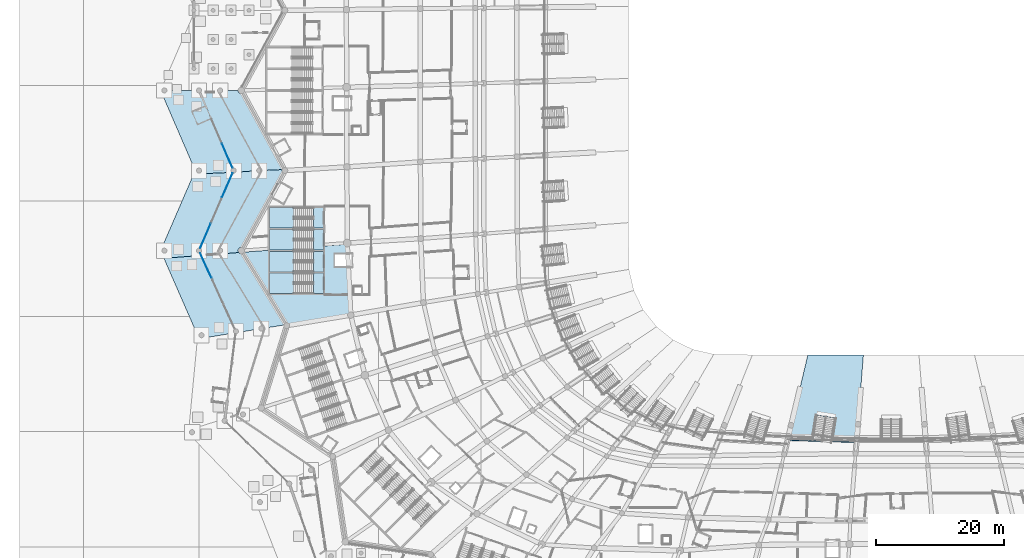
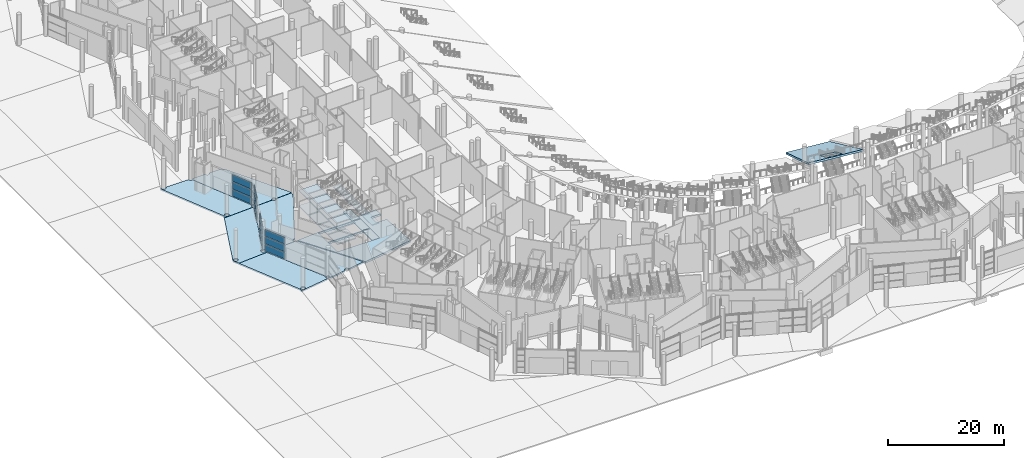
# One storey, part 74 of 255: 23 slabs, 12 plates, 8 elements without a shape of their own.
"""IFC4 building model written with IfcOpenShell, lengths in metres."""

from ifc_helpers import new_model, si_unit, direction, frame, origin, origin_2d, place, context, subcontext, project, spatial, polyline, rectangle, outline, extrude, material, layer, layer_set, type_object, element, aggregate, save


model = new_model("IFC4")

# Units and contexts
model_context = context("Model", 3, precision=1e-05, world=origin(), true_north=direction((0.0, 1.0)))
body_context = subcontext(model_context, "Body", "Model", "MODEL_VIEW")
ifc_project = project(units=[si_unit("LENGTHUNIT", "METRE"), si_unit("AREAUNIT", "SQUARE_METRE"), si_unit("VOLUMEUNIT", "CUBIC_METRE"), si_unit("PLANEANGLEUNIT", "RADIAN"), si_unit("MASSUNIT", "GRAM", prefix="KILO")], contexts=[model_context])

# Site, building, storey
site_placement = place(None, origin())
site = spatial("IfcSite", under=ifc_project, at=site_placement, CompositionType="ELEMENT")
building_placement = place(site_placement, origin())
building = spatial("IfcBuilding", under=site, at=building_placement, Name="Meseta Stadium", CompositionType="ELEMENT")
storey_placement = place(building_placement, origin())
storey = spatial("IfcBuildingStorey", under=building, at=storey_placement, Name="L00", CompositionType="ELEMENT", Elevation=0.0)

# Slabs
ifc_material_1 = material(Name="Concrete C40/50", Category="concrete")
ifc_layer_1 = layer(ifc_material_1, 0.39990234375)
ifc_layer_set_1 = layer_set([ifc_layer_1], Name="Floor slab 400")
slab_type_1 = type_object("IfcSlabType", Name="Floor slab 400", PredefinedType="FLOOR", material=ifc_layer_set_1)
slab_1_placement = place(storey_placement, frame((0.0, 0.0, -0.39990234375)))
element("IfcSlab", 1, at=slab_1_placement, inside=storey, type_object=slab_type_1, Name="Floor slab L00 sector 35 panel 02", PredefinedType="FLOOR", context=body_context, shape_type="SweptSolid", body=[
    extrude(outline(polyline([(-88.60009765625, -43.028564453125), (-88.60009765625, -43.64990234375), (-96.697021484375, -43.64990234375), (-101.24853515625, -43.999267578125), (-94.29443359375, -55.44140625), (-84.3251953125, -53.801513671875), (-84.703125, -46.199951171875), (-86.800048828125, -46.199951171875), (-86.800048828125, -44.300048828125), (-84.797607421875, -44.300048828125), (-84.875, -42.74267578125), (-88.60009765625, -43.028564453125)]), holes=[polyline([(-97.0, -47.25), (-88.60009765625, -47.25), (-88.60009765625, -50.449951171875), (-97.0, -50.449951171875), (-97.0, -47.25)]), polyline([(-97.0, -47.050048828125), (-97.0, -43.85009765625), (-88.60009765625, -43.85009765625), (-88.60009765625, -47.050048828125), (-97.0, -47.050048828125)])]), origin(), (0.0, 0.0, 1.0), 0.39990234375),
])
ifc_material_2 = material(Name="Concrete C40/50", Category="concrete")
ifc_layer_2 = layer(ifc_material_2, 0.300048828125)
ifc_layer_set_2 = layer_set([ifc_layer_2], Name="Passage paving slab 300")
slab_type_2 = type_object("IfcSlabType", Name="Passage paving slab 300", PredefinedType="FLOOR", material=ifc_layer_set_2)
slab_2_placement = place(storey_placement, frame((0.0, 0.0, -0.300048828125)))
element("IfcSlab", 2, at=slab_2_placement, inside=storey, type_object=slab_type_2, Name="Covered passage paving 5 part 1", PredefinedType="FLOOR", context=body_context, shape_type="SweptSolid", body=[
    extrude(outline(polyline([(-108.60009765625, -31.25), (-108.852783203125, -31.8349609375), (-102.905517578125, -31.5087890625), (-102.949462890625, -31.45166015625), (-102.98974609375, -31.3544921875), (-103.00341796875, -31.25), (-102.98974609375, -31.1455078125), (-102.949462890625, -31.04833984375), (-102.88525390625, -30.964599609375), (-102.8017578125, -30.900634765625), (-102.758544921875, -30.8828125), (-107.84130859375, -19.1171875), (-107.8955078125, -19.1396484375), (-108.0, -19.153564453125), (-108.1044921875, -19.1396484375), (-108.20166015625, -19.099365234375), (-108.285400390625, -19.035400390625), (-108.349365234375, -18.95166015625), (-108.3896484375, -18.8544921875), (-108.403564453125, -18.75), (-112.99658203125, -18.75), (-113.01025390625, -18.8544921875), (-113.050537109375, -18.95166015625), (-113.11474609375, -19.035400390625), (-113.1982421875, -19.099365234375), (-113.295654296875, -19.1396484375), (-113.39990234375, -19.153564453125), (-113.50439453125, -19.1396484375), (-113.601806640625, -19.099365234375), (-113.685302734375, -19.035400390625), (-113.74951171875, -18.95166015625), (-113.789794921875, -18.8544921875), (-113.803466796875, -18.75), (-114.0, -18.75), (-108.60009765625, -31.25)]), holes=[polyline([(-108.1044921875, -31.6396484375), (-108.20166015625, -31.599365234375), (-108.285400390625, -31.535400390625), (-108.349365234375, -31.45166015625), (-108.3896484375, -31.3544921875), (-108.403564453125, -31.25), (-108.3896484375, -31.1455078125), (-108.349365234375, -31.04833984375), (-108.285400390625, -30.964599609375), (-108.20166015625, -30.900634765625), (-108.1044921875, -30.8603515625), (-108.0, -30.846435546875), (-107.8955078125, -30.8603515625), (-107.79833984375, -30.900634765625), (-107.714599609375, -30.964599609375), (-107.650634765625, -31.04833984375), (-107.6103515625, -31.1455078125), (-107.596435546875, -31.25), (-107.6103515625, -31.3544921875), (-107.650634765625, -31.45166015625), (-107.714599609375, -31.535400390625), (-107.79833984375, -31.599365234375), (-107.8955078125, -31.6396484375), (-108.0, -31.653564453125), (-108.1044921875, -31.6396484375)])]), origin(), (0.0, 0.0, 1.0), 0.300048828125),
])
slab_3_placement = place(storey_placement, frame((0.0, 0.0, -0.300048828125)))
element("IfcSlab", 3, at=slab_3_placement, inside=storey, type_object=slab_type_2, Name="Covered passage paving 5 part 2 panel 01", PredefinedType="FLOOR", context=body_context, shape_type="SweptSolid", body=[
    extrude(outline(polyline([(-108.861572265625, -31.85546875), (-114.0, -43.75), (-113.480712890625, -44.938232421875), (-107.660888671875, -44.491455078125), (-107.83349609375, -44.114013671875), (-107.8955078125, -44.1396484375), (-108.0, -44.153564453125), (-108.1044921875, -44.1396484375), (-108.20166015625, -44.099365234375), (-108.285400390625, -44.035400390625), (-108.349365234375, -43.95166015625), (-108.3896484375, -43.8544921875), (-108.403564453125, -43.75), (-108.3896484375, -43.6455078125), (-108.349365234375, -43.54833984375), (-108.285400390625, -43.464599609375), (-108.20166015625, -43.400634765625), (-108.1044921875, -43.3603515625), (-108.0, -43.346435546875), (-107.8955078125, -43.3603515625), (-107.84130859375, -43.3828125), (-102.758544921875, -31.6171875), (-102.8017578125, -31.599365234375), (-102.88525390625, -31.535400390625), (-102.890869140625, -31.5283203125), (-108.861572265625, -31.85546875)]), holes=[polyline([(-113.39990234375, -44.153564453125), (-113.50439453125, -44.1396484375), (-113.601806640625, -44.099365234375), (-113.685302734375, -44.035400390625), (-113.74951171875, -43.95166015625), (-113.789794921875, -43.8544921875), (-113.803466796875, -43.75), (-113.789794921875, -43.6455078125), (-113.74951171875, -43.54833984375), (-113.685302734375, -43.464599609375), (-113.601806640625, -43.400634765625), (-113.50439453125, -43.3603515625), (-113.39990234375, -43.346435546875), (-113.295654296875, -43.3603515625), (-113.1982421875, -43.400634765625), (-113.11474609375, -43.464599609375), (-113.050537109375, -43.54833984375), (-113.01025390625, -43.6455078125), (-112.99658203125, -43.75), (-113.01025390625, -43.8544921875), (-113.050537109375, -43.95166015625), (-113.11474609375, -44.035400390625), (-113.1982421875, -44.099365234375), (-113.295654296875, -44.1396484375), (-113.39990234375, -44.153564453125)])]), origin(), (0.0, 0.0, 1.0), 0.300048828125),
])
slab_4_placement = place(storey_placement, frame((0.0, 0.0, -0.300048828125)))
element("IfcSlab", 4, at=slab_4_placement, inside=storey, type_object=slab_type_2, Name="Covered passage paving 5 part 2 panel 02", PredefinedType="FLOOR", context=body_context, shape_type="SweptSolid", body=[
    extrude(outline(polyline([(-113.480712890625, -44.938232421875), (-108.206298828125, -57.009033203125), (-108.255615234375, -57.526611328125), (-102.541748046875, -56.606201171875), (-102.593505859375, -56.538818359375), (-102.6337890625, -56.441650390625), (-102.647705078125, -56.337158203125), (-102.6337890625, -56.23291015625), (-102.593505859375, -56.135498046875), (-102.529296875, -56.052001953125), (-102.44580078125, -55.98779296875), (-102.41064453125, -55.97314453125), (-107.660888671875, -44.491455078125), (-113.480712890625, -44.938232421875)]), holes=[polyline([(-107.505615234375, -57.33154296875), (-107.610107421875, -57.34521484375), (-107.714599609375, -57.33154296875), (-107.81201171875, -57.291259765625), (-107.8955078125, -57.22705078125), (-107.959716796875, -57.1435546875), (-108.0, -57.046142578125), (-108.013671875, -56.94189453125), (-108.0, -56.83740234375), (-107.959716796875, -56.739990234375), (-107.8955078125, -56.656494140625), (-107.81201171875, -56.59228515625), (-107.714599609375, -56.552001953125), (-107.610107421875, -56.538330078125), (-107.505615234375, -56.552001953125), (-107.408447265625, -56.59228515625), (-107.324951171875, -56.656494140625), (-107.2607421875, -56.739990234375), (-107.220458984375, -56.83740234375), (-107.206787109375, -56.94189453125), (-107.220458984375, -57.046142578125), (-107.2607421875, -57.1435546875), (-107.324951171875, -57.22705078125), (-107.408447265625, -57.291259765625), (-107.505615234375, -57.33154296875)])]), origin(), (0.0, 0.0, 1.0), 0.300048828125),
])

# Curtain wall, plates
ifc_material_3 = material(Name="Aluminium", Category="aluminium")
ifc_layer_3 = layer(ifc_material_3, 0.199951171875)
ifc_layer_set_3 = layer_set([ifc_layer_3], Name="Ring shopfront curtain wall")
curtain_wall_type = type_object("IfcCurtainWallType", Name="Ring shopfront curtain wall", PredefinedType="NOTDEFINED", material=ifc_layer_set_3)
curtain_wall_1_placement = place(storey_placement, origin())
curtain_wall_1 = element("IfcCurtainWall", 5, at=curtain_wall_1_placement, inside=storey, type_object=curtain_wall_type, Name="Shopfront glazing F34b", PredefinedType="NOTDEFINED")
ifc_material_4 = material(Name="Glass", Category="glass")
ifc_layer_4 = layer(ifc_material_4, 0.035888671875)
ifc_layer_set_4 = layer_set([ifc_layer_4], Name="Ring CW glass panel 36")
plate_type = type_object("IfcPlateType", Name="Ring CW glass panel 36", PredefinedType="CURTAIN_PANEL", material=ifc_layer_set_4)
plate_1_placement = place(storey_placement, frame((-103.593017578125, -28.951171875, 0.150146484375), z_axis=(0.0, 0.0, 1.0), x_axis=(0.396576208678, -0.918001803218, 0.0)))
plate_1 = element("IfcPlate", 6, at=plate_1_placement, type_object=plate_type, Name="CWR1 panel 1.1", PredefinedType="CURTAIN_PANEL", context=body_context, shape_type="SweptSolid", body=[
    extrude(rectangle(XDim=4.08837890625, YDim=0.035888671875, at=origin_2d()), origin(), (0.0, 0.0, 1.0), 1.3916015625),
])
plate_2_placement = place(storey_placement, frame((-103.593017578125, -28.951171875, 1.69189453125), z_axis=(0.0, 0.0, 1.0), x_axis=(0.396576208678, -0.918001803218, 0.0)))
plate_2 = element("IfcPlate", 7, at=plate_2_placement, type_object=plate_type, Name="CWR1 panel 1.2", PredefinedType="CURTAIN_PANEL", context=body_context, shape_type="SweptSolid", body=[
    extrude(rectangle(XDim=4.08837890625, YDim=0.035888671875, at=origin_2d()), origin(), (0.0, 0.0, 1.0), 1.466552734375),
])
plate_3_placement = place(storey_placement, frame((-103.593017578125, -28.951171875, 3.308349609375), z_axis=(0.0, 0.0, 1.0), x_axis=(0.396576208678, -0.918001803218, 0.0)))
plate_3 = element("IfcPlate", 8, at=plate_3_placement, type_object=plate_type, Name="CWR1 panel 1.3", PredefinedType="CURTAIN_PANEL", context=body_context, shape_type="SweptSolid", body=[
    extrude(rectangle(XDim=4.08837890625, YDim=0.035888671875, at=origin_2d()), origin(), (0.0, 0.0, 1.0), 1.3916015625),
])
aggregate(curtain_wall_1, [plate_1, plate_2, plate_3])

curtain_wall_2_placement = place(storey_placement, origin())
curtain_wall_2 = element("IfcCurtainWall", 9, at=curtain_wall_2_placement, inside=storey, type_object=curtain_wall_type, Name="Shopfront glazing F35a", PredefinedType="NOTDEFINED")
plate_4_placement = place(storey_placement, frame((-103.593017578125, -33.548828125, 0.150146484375), z_axis=(0.0, 0.0, 1.0), x_axis=(-0.396576208678, -0.918001803218, 0.0)))
plate_4 = element("IfcPlate", 10, at=plate_4_placement, type_object=plate_type, Name="CWR1 panel 1.1", PredefinedType="CURTAIN_PANEL", context=body_context, shape_type="SweptSolid", body=[
    extrude(rectangle(XDim=4.08837890625, YDim=0.035888671875, at=origin_2d()), origin(), (0.0, 0.0, 1.0), 1.3916015625),
])
plate_5_placement = place(storey_placement, frame((-103.593017578125, -33.548828125, 1.69189453125), z_axis=(0.0, 0.0, 1.0), x_axis=(-0.396576208678, -0.918001803218, 0.0)))
plate_5 = element("IfcPlate", 11, at=plate_5_placement, type_object=plate_type, Name="CWR1 panel 1.2", PredefinedType="CURTAIN_PANEL", context=body_context, shape_type="SweptSolid", body=[
    extrude(rectangle(XDim=4.08837890625, YDim=0.035888671875, at=origin_2d()), origin(), (0.0, 0.0, 1.0), 1.466552734375),
])
plate_6_placement = place(storey_placement, frame((-103.593017578125, -33.548828125, 3.308349609375), z_axis=(0.0, 0.0, 1.0), x_axis=(-0.396576208678, -0.918001803218, 0.0)))
plate_6 = element("IfcPlate", 12, at=plate_6_placement, type_object=plate_type, Name="CWR1 panel 1.3", PredefinedType="CURTAIN_PANEL", context=body_context, shape_type="SweptSolid", body=[
    extrude(rectangle(XDim=4.08837890625, YDim=0.035888671875, at=origin_2d()), origin(), (0.0, 0.0, 1.0), 1.3916015625),
])
aggregate(curtain_wall_2, [plate_4, plate_5, plate_6])

curtain_wall_3_placement = place(storey_placement, origin())
curtain_wall_3 = element("IfcCurtainWall", 13, at=curtain_wall_3_placement, inside=storey, type_object=curtain_wall_type, Name="Shopfront glazing F35b", PredefinedType="NOTDEFINED")
plate_7_placement = place(storey_placement, frame((-107.0068359375, -41.451171875, 0.150146484375), z_axis=(0.0, 0.0, 1.0), x_axis=(-0.396576208678, -0.918001803218, 0.0)))
plate_7 = element("IfcPlate", 14, at=plate_7_placement, type_object=plate_type, Name="CWR1 panel 1.1", PredefinedType="CURTAIN_PANEL", context=body_context, shape_type="SweptSolid", body=[
    extrude(rectangle(XDim=4.08837890625, YDim=0.035888671875, at=origin_2d()), origin(), (0.0, 0.0, 1.0), 1.3916015625),
])
plate_8_placement = place(storey_placement, frame((-107.0068359375, -41.451171875, 1.69189453125), z_axis=(0.0, 0.0, 1.0), x_axis=(-0.396576208678, -0.918001803218, 0.0)))
plate_8 = element("IfcPlate", 15, at=plate_8_placement, type_object=plate_type, Name="CWR1 panel 1.2", PredefinedType="CURTAIN_PANEL", context=body_context, shape_type="SweptSolid", body=[
    extrude(rectangle(XDim=4.08837890625, YDim=0.035888671875, at=origin_2d()), origin(), (0.0, 0.0, 1.0), 1.466552734375),
])
plate_9_placement = place(storey_placement, frame((-107.0068359375, -41.451171875, 3.308349609375), z_axis=(0.0, 0.0, 1.0), x_axis=(-0.396576208678, -0.918001803218, 0.0)))
plate_9 = element("IfcPlate", 16, at=plate_9_placement, type_object=plate_type, Name="CWR1 panel 1.3", PredefinedType="CURTAIN_PANEL", context=body_context, shape_type="SweptSolid", body=[
    extrude(rectangle(XDim=4.08837890625, YDim=0.035888671875, at=origin_2d()), origin(), (0.0, 0.0, 1.0), 1.3916015625),
])
aggregate(curtain_wall_3, [plate_7, plate_8, plate_9])

curtain_wall_4_placement = place(storey_placement, origin())
curtain_wall_4 = element("IfcCurtainWall", 17, at=curtain_wall_4_placement, inside=storey, type_object=curtain_wall_type, Name="Shopfront glazing F36a", PredefinedType="NOTDEFINED")
plate_10_placement = place(storey_placement, frame((-106.935302734375, -46.078369140625, 0.150146484375), z_axis=(0.0, 0.0, 1.0), x_axis=(0.415863140706, -0.909427208853, 0.0)))
plate_10 = element("IfcPlate", 18, at=plate_10_placement, type_object=plate_type, Name="CWR1 panel 1.1", PredefinedType="CURTAIN_PANEL", context=body_context, shape_type="SweptSolid", body=[
    extrude(rectangle(XDim=4.200439453125, YDim=0.035888671875, at=origin_2d()), origin(), (0.0, 0.0, 1.0), 1.3916015625),
])
plate_11_placement = place(storey_placement, frame((-106.935302734375, -46.078369140625, 1.69189453125), z_axis=(0.0, 0.0, 1.0), x_axis=(0.415863140706, -0.909427208853, 0.0)))
plate_11 = element("IfcPlate", 19, at=plate_11_placement, type_object=plate_type, Name="CWR1 panel 1.2", PredefinedType="CURTAIN_PANEL", context=body_context, shape_type="SweptSolid", body=[
    extrude(rectangle(XDim=4.200439453125, YDim=0.035888671875, at=origin_2d()), origin(), (0.0, 0.0, 1.0), 1.466552734375),
])
plate_12_placement = place(storey_placement, frame((-106.935302734375, -46.078369140625, 3.308349609375), z_axis=(0.0, 0.0, 1.0), x_axis=(0.415863140706, -0.909427208853, 0.0)))
plate_12 = element("IfcPlate", 20, at=plate_12_placement, type_object=plate_type, Name="CWR1 panel 1.3", PredefinedType="CURTAIN_PANEL", context=body_context, shape_type="SweptSolid", body=[
    extrude(rectangle(XDim=4.200439453125, YDim=0.035888671875, at=origin_2d()), origin(), (0.0, 0.0, 1.0), 1.3916015625),
])
aggregate(curtain_wall_4, [plate_10, plate_11, plate_12])

# Slabs
ifc_material_5 = material(Name="Concrete C30/37", Category="concrete")
ifc_layer_5 = layer(ifc_material_5, 0.300048828125)
ifc_layer_set_5 = layer_set([ifc_layer_5], Name="Ring grade slab 300")
slab_type_3 = type_object("IfcSlabType", Name="Ring grade slab 300", PredefinedType="BASESLAB", material=ifc_layer_set_5)
slab_5_placement = place(storey_placement, frame((0.0, 0.0, -0.300048828125)))
element("IfcSlab", 21, at=slab_5_placement, inside=storey, type_object=slab_type_3, Name="Ring ground floor slab 5 part 1", PredefinedType="BASESLAB", context=body_context, shape_type="SweptSolid", body=[
    extrude(outline(polyline([(-102.25048828125, -31.45166015625), (-102.267578125, -31.47412109375), (-98.99755859375, -31.294677734375), (-99.00341796875, -31.25), (-98.98974609375, -31.1455078125), (-98.949462890625, -31.04833984375), (-98.88525390625, -30.964599609375), (-98.8017578125, -30.900634765625), (-98.704345703125, -30.8603515625), (-98.60009765625, -30.846435546875), (-98.49560546875, -30.8603515625), (-98.398193359375, -30.900634765625), (-98.314697265625, -30.964599609375), (-98.25048828125, -31.04833984375), (-98.210205078125, -31.1455078125), (-98.196533203125, -31.25), (-98.196533203125, -31.250732421875), (-95.01513671875, -31.076416015625), (-94.9931640625, -31.023193359375), (-94.935302734375, -30.94775390625), (-101.30322265625, -19.24169921875), (-101.39990234375, -19.25439453125), (-101.530517578125, -19.237060546875), (-101.652099609375, -19.186767578125), (-101.756591796875, -19.106689453125), (-101.836669921875, -19.002197265625), (-101.88720703125, -18.880615234375), (-101.904296875, -18.75), (-104.29638671875, -18.75), (-104.310302734375, -18.8544921875), (-104.3505859375, -18.95166015625), (-104.414794921875, -19.035400390625), (-104.498291015625, -19.099365234375), (-104.595703125, -19.1396484375), (-104.699951171875, -19.153564453125), (-104.804443359375, -19.1396484375), (-104.901611328125, -19.099365234375), (-104.9853515625, -19.035400390625), (-105.04931640625, -18.95166015625), (-105.089599609375, -18.8544921875), (-105.103515625, -18.75), (-107.596435546875, -18.75), (-107.6103515625, -18.8544921875), (-107.650634765625, -18.95166015625), (-107.714599609375, -19.035400390625), (-107.79833984375, -19.099365234375), (-107.84130859375, -19.1171875), (-102.758544921875, -30.8828125), (-102.704345703125, -30.8603515625), (-102.60009765625, -30.846435546875), (-102.49560546875, -30.8603515625), (-102.398193359375, -30.900634765625), (-102.314697265625, -30.964599609375), (-102.25048828125, -31.04833984375), (-102.210205078125, -31.1455078125), (-102.196533203125, -31.25), (-102.210205078125, -31.3544921875), (-102.25048828125, -31.45166015625)])), origin(), (0.0, 0.0, 1.0), 0.300048828125),
])
slab_6_placement = place(storey_placement, frame((0.0, 0.0, -0.300048828125)))
element("IfcSlab", 22, at=slab_6_placement, inside=storey, type_object=slab_type_3, Name="Ring ground floor slab 5 part 2 panel 01", PredefinedType="BASESLAB", context=body_context, shape_type="SweptSolid", body=[
    extrude(outline(polyline([(-107.714599609375, -44.035400390625), (-107.79833984375, -44.099365234375), (-107.83349609375, -44.114013671875), (-107.660888671875, -44.491455078125), (-101.80615234375, -44.0419921875), (-101.836669921875, -44.002197265625), (-101.88720703125, -43.880615234375), (-101.904296875, -43.75), (-101.88720703125, -43.619384765625), (-101.836669921875, -43.497802734375), (-101.756591796875, -43.393310546875), (-101.652099609375, -43.313232421875), (-101.530517578125, -43.262939453125), (-101.39990234375, -43.24560546875), (-101.30322265625, -43.25830078125), (-94.935302734375, -31.55224609375), (-94.9931640625, -31.476806640625), (-95.038330078125, -31.367431640625), (-95.053955078125, -31.25), (-95.038330078125, -31.132568359375), (-95.023681640625, -31.0966796875), (-98.19921875, -31.27099609375), (-98.210205078125, -31.3544921875), (-98.25048828125, -31.45166015625), (-98.314697265625, -31.535400390625), (-98.398193359375, -31.599365234375), (-98.49560546875, -31.6396484375), (-98.60009765625, -31.653564453125), (-98.704345703125, -31.6396484375), (-98.8017578125, -31.599365234375), (-98.88525390625, -31.535400390625), (-98.949462890625, -31.45166015625), (-98.98974609375, -31.3544921875), (-98.9951171875, -31.314697265625), (-102.28369140625, -31.494873046875), (-102.314697265625, -31.535400390625), (-102.398193359375, -31.599365234375), (-102.49560546875, -31.6396484375), (-102.60009765625, -31.653564453125), (-102.704345703125, -31.6396484375), (-102.758544921875, -31.6171875), (-107.84130859375, -43.3828125), (-107.79833984375, -43.400634765625), (-107.714599609375, -43.464599609375), (-107.650634765625, -43.54833984375), (-107.6103515625, -43.6455078125), (-107.596435546875, -43.75), (-107.6103515625, -43.8544921875), (-107.650634765625, -43.95166015625), (-107.714599609375, -44.035400390625)]), holes=[polyline([(-104.498291015625, -44.099365234375), (-104.595703125, -44.1396484375), (-104.699951171875, -44.153564453125), (-104.804443359375, -44.1396484375), (-104.901611328125, -44.099365234375), (-104.9853515625, -44.035400390625), (-105.04931640625, -43.95166015625), (-105.089599609375, -43.8544921875), (-105.103515625, -43.75), (-105.089599609375, -43.6455078125), (-105.04931640625, -43.54833984375), (-104.9853515625, -43.464599609375), (-104.901611328125, -43.400634765625), (-104.804443359375, -43.3603515625), (-104.699951171875, -43.346435546875), (-104.595703125, -43.3603515625), (-104.498291015625, -43.400634765625), (-104.414794921875, -43.464599609375), (-104.3505859375, -43.54833984375), (-104.310302734375, -43.6455078125), (-104.29638671875, -43.75), (-104.310302734375, -43.8544921875), (-104.3505859375, -43.95166015625), (-104.414794921875, -44.035400390625), (-104.498291015625, -44.099365234375)])]), origin(), (0.0, 0.0, 1.0), 0.300048828125),
])
slab_7_placement = place(storey_placement, frame((0.0, 0.0, -0.300048828125)))
element("IfcSlab", 23, at=slab_7_placement, inside=storey, type_object=slab_type_3, Name="Ring ground floor slab 5 part 2 panel 02", PredefinedType="BASESLAB", context=body_context, shape_type="SweptSolid", body=[
    extrude(outline(polyline([(-101.8408203125, -56.337158203125), (-101.8544921875, -56.441650390625), (-101.87841796875, -56.49951171875), (-98.66064453125, -55.981201171875), (-98.672607421875, -55.889404296875), (-98.658935546875, -55.784912109375), (-98.61865234375, -55.6875), (-98.554443359375, -55.60400390625), (-98.470947265625, -55.539794921875), (-98.373779296875, -55.49951171875), (-98.269287109375, -55.48583984375), (-98.164794921875, -55.49951171875), (-98.0673828125, -55.539794921875), (-97.98388671875, -55.60400390625), (-97.919921875, -55.6875), (-97.879638671875, -55.784912109375), (-97.87060546875, -55.85400390625), (-94.736083984375, -55.34912109375), (-94.73291015625, -55.323974609375), (-94.6875, -55.214599609375), (-94.64306640625, -55.156494140625), (-101.27880859375, -44.23828125), (-101.39990234375, -44.25439453125), (-101.530517578125, -44.237060546875), (-101.652099609375, -44.186767578125), (-101.756591796875, -44.106689453125), (-101.80615234375, -44.0419921875), (-107.660888671875, -44.491455078125), (-102.41064453125, -55.97314453125), (-102.348388671875, -55.947509765625), (-102.244140625, -55.93359375), (-102.1396484375, -55.947509765625), (-102.04248046875, -55.98779296875), (-101.958740234375, -56.052001953125), (-101.894775390625, -56.135498046875), (-101.8544921875, -56.23291015625), (-101.8408203125, -56.337158203125)])), origin(), (0.0, 0.0, 1.0), 0.300048828125),
])
ifc_material_6 = material(Name="Concrete C40/50", Category="concrete")
ifc_layer_6 = layer(ifc_material_6, 0.35009765625)
ifc_layer_set_6 = layer_set([ifc_layer_6], Name="Seating tier 350")
slab_type_4 = type_object("IfcSlabType", Name="Seating tier 350", PredefinedType="USERDEFINED", material=ifc_layer_set_6)
slab_8_placement = place(storey_placement, frame((-13.0, -60.0, -2.653564453125), z_axis=(0.071216565093, 0.448708363617, 0.890836127061), x_axis=(-0.206450543872, -0.867133705888, 0.453273988938)))
element("IfcSlab", 24, at=slab_8_placement, inside=storey, type_object=slab_type_4, Name="Stand lower tier bay 46", ObjectType="SEATING TIER", PredefinedType="USERDEFINED", context=body_context, shape_type="SweptSolid", body=[
    extrude(outline(polyline([(0.0, 0.0), (15.257412074576179, 8.049116928532385e-16), (13.009162382731796, 10.530761946388349), (-2.1033152923663656, 8.436151779165586), (0.0, 0.0)]), holes=[polyline([(9.992431640625, 3.47607421875), (13.352294921875, 3.704833984375), (13.148193359375, 6.6982421875), (9.78857421875, 6.46923828125), (9.992431640625, 3.47607421875)])]), origin(), (0.0, 0.0, -1.0), 0.35009765625),
])

# Stair, slabs
ifc_material_7 = material(Name="Concrete C40/50", Category="concrete")
stair_type = type_object("IfcStairType", Name="Exit stair 4 flights 148 mm risers", PredefinedType="HALF_TURN_STAIR", material=ifc_material_7)
stair_1_placement = place(storey_placement, origin())
stair_1 = element("IfcStair", 25, at=stair_1_placement, inside=storey, type_object=stair_type, Name="ST73 L00", PredefinedType="HALF_TURN_STAIR")
ifc_material_8 = material(Name="Concrete C40/50", Category="concrete")
ifc_layer_7 = layer(ifc_material_8, 0.199951171875)
ifc_layer_set_7 = layer_set([ifc_layer_7], Name="Stair landing 200")
slab_type_5 = type_object("IfcSlabType", Name="Stair landing 200", PredefinedType="LANDING", material=ifc_layer_set_7)
slab_9_placement = place(storey_placement, frame((0.0, 0.0, 1.425048828125)))
slab_9 = element("IfcSlab", 26, at=slab_9_placement, type_object=slab_type_5, Name="ST73 L00 landing 1", PredefinedType="LANDING", context=body_context, shape_type="SweptSolid", body=[
    extrude(outline(polyline([(-93.2900390625, -37.050048828125), (-97.0, -37.050048828125), (-97.0, -40.25), (-93.2900390625, -40.25), (-93.2900390625, -37.050048828125)])), origin(), (0.0, 0.0, 1.0), 0.199951171875),
])
slab_10_placement = place(storey_placement, frame((0.0, 0.0, 3.050048828125)))
slab_10 = element("IfcSlab", 27, at=slab_10_placement, type_object=slab_type_5, Name="ST73 L00 landing 2", PredefinedType="LANDING", context=body_context, shape_type="SweptSolid", body=[
    extrude(outline(polyline([(-88.60009765625, -37.050048828125), (-90.110107421875, -37.050048828125), (-90.110107421875, -40.25), (-88.60009765625, -40.25), (-88.60009765625, -37.050048828125)])), origin(), (0.0, 0.0, 1.0), 0.199951171875),
])
slab_11_placement = place(storey_placement, frame((0.0, 0.0, 4.675048828125)))
slab_11 = element("IfcSlab", 28, at=slab_11_placement, type_object=slab_type_5, Name="ST73 L00 landing 3", PredefinedType="LANDING", context=body_context, shape_type="SweptSolid", body=[
    extrude(outline(polyline([(-93.2900390625, -37.050048828125), (-97.0, -37.050048828125), (-97.0, -40.25), (-93.2900390625, -40.25), (-93.2900390625, -37.050048828125)])), origin(), (0.0, 0.0, 1.0), 0.199951171875),
])
aggregate(stair_1, [slab_9, slab_10, slab_11])

stair_2_placement = place(storey_placement, origin())
stair_2 = element("IfcStair", 29, at=stair_2_placement, inside=storey, type_object=stair_type, Name="ST74 L00", PredefinedType="HALF_TURN_STAIR")
slab_12_placement = place(storey_placement, frame((0.0, 0.0, 1.425048828125)))
slab_12 = element("IfcSlab", 30, at=slab_12_placement, type_object=slab_type_5, Name="ST74 L00 landing 1", PredefinedType="LANDING", context=body_context, shape_type="SweptSolid", body=[
    extrude(outline(polyline([(-93.2900390625, -40.449951171875), (-97.0, -40.449951171875), (-97.0, -43.64990234375), (-93.2900390625, -43.64990234375), (-93.2900390625, -40.449951171875)])), origin(), (0.0, 0.0, 1.0), 0.199951171875),
])
slab_13_placement = place(storey_placement, frame((0.0, 0.0, 3.050048828125)))
slab_13 = element("IfcSlab", 31, at=slab_13_placement, type_object=slab_type_5, Name="ST74 L00 landing 2", PredefinedType="LANDING", context=body_context, shape_type="SweptSolid", body=[
    extrude(outline(polyline([(-88.60009765625, -40.449951171875), (-90.110107421875, -40.449951171875), (-90.110107421875, -43.64990234375), (-88.60009765625, -43.64990234375), (-88.60009765625, -40.449951171875)])), origin(), (0.0, 0.0, 1.0), 0.199951171875),
])
slab_14_placement = place(storey_placement, frame((0.0, 0.0, 4.675048828125)))
slab_14 = element("IfcSlab", 32, at=slab_14_placement, type_object=slab_type_5, Name="ST74 L00 landing 3", PredefinedType="LANDING", context=body_context, shape_type="SweptSolid", body=[
    extrude(outline(polyline([(-93.2900390625, -40.449951171875), (-97.0, -40.449951171875), (-97.0, -43.64990234375), (-93.2900390625, -43.64990234375), (-93.2900390625, -40.449951171875)])), origin(), (0.0, 0.0, 1.0), 0.199951171875),
])
slab_15_placement = place(storey_placement, frame((0.0, 0.0, -0.199951171875)))
slab_15 = element("IfcSlab", 33, at=slab_15_placement, type_object=slab_type_5, Name="ST74 L00 landing 4", PredefinedType="LANDING", context=body_context, shape_type="SweptSolid", body=[
    extrude(outline(polyline([(-88.60009765625, -40.449951171875), (-90.110107421875, -40.449951171875), (-90.110107421875, -43.64990234375), (-88.60009765625, -43.64990234375), (-88.60009765625, -40.449951171875)])), origin(), (0.0, 0.0, 1.0), 0.199951171875),
])
aggregate(stair_2, [slab_12, slab_13, slab_14, slab_15])

stair_3_placement = place(storey_placement, origin())
stair_3 = element("IfcStair", 34, at=stair_3_placement, inside=storey, type_object=stair_type, Name="ST75 L00", PredefinedType="HALF_TURN_STAIR")
slab_16_placement = place(storey_placement, frame((0.0, 0.0, 1.425048828125)))
slab_16 = element("IfcSlab", 35, at=slab_16_placement, type_object=slab_type_5, Name="ST75 L00 landing 1", PredefinedType="LANDING", context=body_context, shape_type="SweptSolid", body=[
    extrude(outline(polyline([(-93.2900390625, -43.85009765625), (-97.0, -43.85009765625), (-97.0, -47.050048828125), (-93.2900390625, -47.050048828125), (-93.2900390625, -43.85009765625)])), origin(), (0.0, 0.0, 1.0), 0.199951171875),
])
slab_17_placement = place(storey_placement, frame((0.0, 0.0, 3.050048828125)))
slab_17 = element("IfcSlab", 36, at=slab_17_placement, type_object=slab_type_5, Name="ST75 L00 landing 2", PredefinedType="LANDING", context=body_context, shape_type="SweptSolid", body=[
    extrude(outline(polyline([(-88.60009765625, -43.85009765625), (-90.110107421875, -43.85009765625), (-90.110107421875, -47.050048828125), (-88.60009765625, -47.050048828125), (-88.60009765625, -43.85009765625)])), origin(), (0.0, 0.0, 1.0), 0.199951171875),
])
slab_18_placement = place(storey_placement, frame((0.0, 0.0, 4.675048828125)))
slab_18 = element("IfcSlab", 37, at=slab_18_placement, type_object=slab_type_5, Name="ST75 L00 landing 3", PredefinedType="LANDING", context=body_context, shape_type="SweptSolid", body=[
    extrude(outline(polyline([(-93.2900390625, -43.85009765625), (-97.0, -43.85009765625), (-97.0, -47.050048828125), (-93.2900390625, -47.050048828125), (-93.2900390625, -43.85009765625)])), origin(), (0.0, 0.0, 1.0), 0.199951171875),
])
slab_19_placement = place(storey_placement, frame((0.0, 0.0, -0.199951171875)))
slab_19 = element("IfcSlab", 38, at=slab_19_placement, type_object=slab_type_5, Name="ST75 L00 landing 4", PredefinedType="LANDING", context=body_context, shape_type="SweptSolid", body=[
    extrude(outline(polyline([(-88.60009765625, -43.85009765625), (-90.110107421875, -43.85009765625), (-90.110107421875, -47.050048828125), (-88.60009765625, -47.050048828125), (-88.60009765625, -43.85009765625)])), origin(), (0.0, 0.0, 1.0), 0.199951171875),
])
aggregate(stair_3, [slab_16, slab_17, slab_18, slab_19])

stair_4_placement = place(storey_placement, origin())
stair_4 = element("IfcStair", 39, at=stair_4_placement, inside=storey, type_object=stair_type, Name="ST76 L00", PredefinedType="HALF_TURN_STAIR")
slab_20_placement = place(storey_placement, frame((0.0, 0.0, 1.425048828125)))
slab_20 = element("IfcSlab", 40, at=slab_20_placement, type_object=slab_type_5, Name="ST76 L00 landing 1", PredefinedType="LANDING", context=body_context, shape_type="SweptSolid", body=[
    extrude(outline(polyline([(-93.2900390625, -47.25), (-97.0, -47.25), (-97.0, -50.449951171875), (-93.2900390625, -50.449951171875), (-93.2900390625, -47.25)])), origin(), (0.0, 0.0, 1.0), 0.199951171875),
])
slab_21_placement = place(storey_placement, frame((0.0, 0.0, 3.050048828125)))
slab_21 = element("IfcSlab", 41, at=slab_21_placement, type_object=slab_type_5, Name="ST76 L00 landing 2", PredefinedType="LANDING", context=body_context, shape_type="SweptSolid", body=[
    extrude(outline(polyline([(-88.60009765625, -47.25), (-90.110107421875, -47.25), (-90.110107421875, -50.449951171875), (-88.60009765625, -50.449951171875), (-88.60009765625, -47.25)])), origin(), (0.0, 0.0, 1.0), 0.199951171875),
])
slab_22_placement = place(storey_placement, frame((0.0, 0.0, 4.675048828125)))
slab_22 = element("IfcSlab", 42, at=slab_22_placement, type_object=slab_type_5, Name="ST76 L00 landing 3", PredefinedType="LANDING", context=body_context, shape_type="SweptSolid", body=[
    extrude(outline(polyline([(-93.2900390625, -47.25), (-97.0, -47.25), (-97.0, -50.449951171875), (-93.2900390625, -50.449951171875), (-93.2900390625, -47.25)])), origin(), (0.0, 0.0, 1.0), 0.199951171875),
])
slab_23_placement = place(storey_placement, frame((0.0, 0.0, -0.199951171875)))
slab_23 = element("IfcSlab", 43, at=slab_23_placement, type_object=slab_type_5, Name="ST76 L00 landing 4", PredefinedType="LANDING", context=body_context, shape_type="SweptSolid", body=[
    extrude(outline(polyline([(-88.60009765625, -47.25), (-90.110107421875, -47.25), (-90.110107421875, -50.449951171875), (-88.60009765625, -50.449951171875), (-88.60009765625, -47.25)])), origin(), (0.0, 0.0, 1.0), 0.199951171875),
])
aggregate(stair_4, [slab_20, slab_21, slab_22, slab_23])

save(model, "model.ifc")
